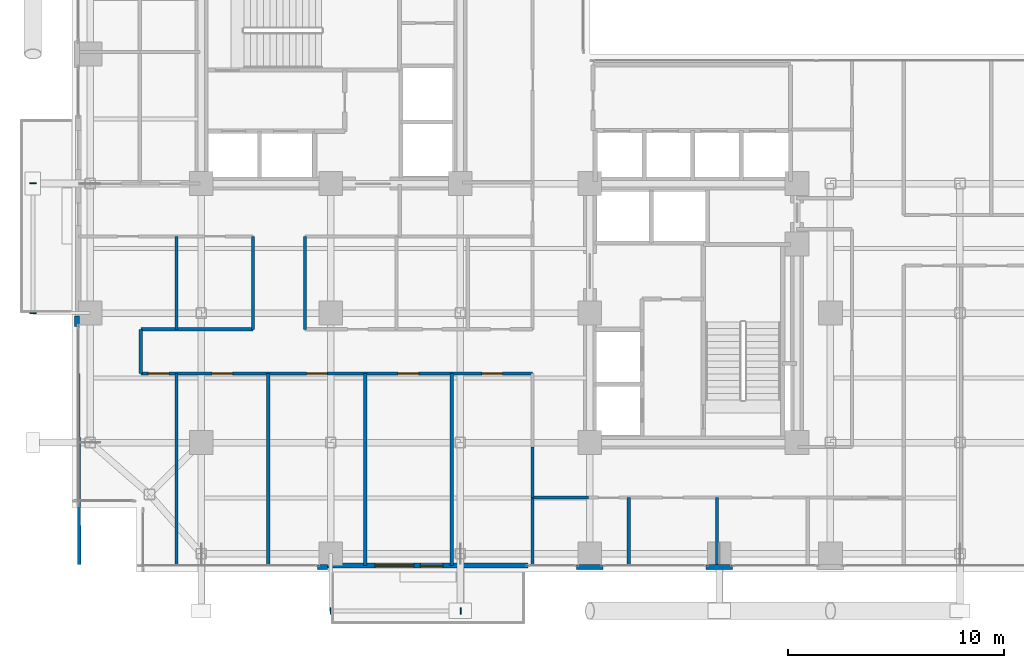
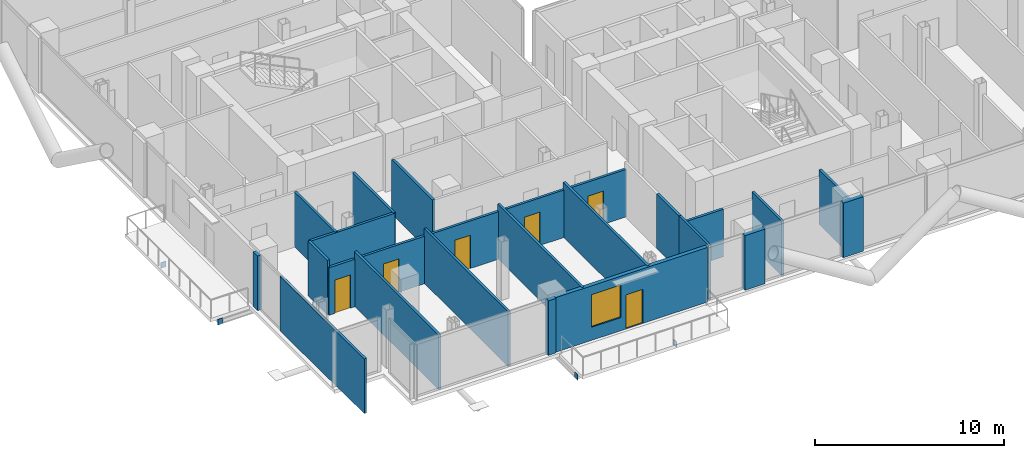
# One storey, part 18 of 24: 21 walls, 6 doors, 4 plates, 1 window, 7 openings.
"""IFC4 building model written with IfcOpenShell, lengths in metres."""

from ifc_helpers import new_model, si_unit, direction, frame, frame_2d, origin, origin_2d, place, context, subcontext, project, spatial, rectangle, extrude, material, layer, layer_set, type_object, element, fill, save


model = new_model("IFC4")

# Units and contexts
model_context = context("Model", 3, precision=1e-05, world=origin(), true_north=direction((0.0, 1.0)))
body_context = subcontext(model_context, "Body", "Model", "MODEL_VIEW")
ifc_project = project(units=[si_unit("LENGTHUNIT", "METRE"), si_unit("AREAUNIT", "SQUARE_METRE"), si_unit("VOLUMEUNIT", "CUBIC_METRE"), si_unit("PLANEANGLEUNIT", "RADIAN"), si_unit("MASSUNIT", "GRAM", prefix="KILO"), si_unit("THERMODYNAMICTEMPERATUREUNIT", "KELVIN"), si_unit("POWERUNIT", "WATT")], contexts=[model_context])

# Site, building, storey
site_placement = place(None, origin())
site = spatial("IfcSite", under=ifc_project, at=site_placement, CompositionType="ELEMENT")
building_placement = place(site_placement, origin())
building = spatial("IfcBuilding", under=site, at=building_placement, Name="Svarakhadi Broadcast Tower", CompositionType="ELEMENT")
storey_placement = place(building_placement, frame((0.0, 0.0, 156.89990234375)))
storey = spatial("IfcBuildingStorey", under=building, at=storey_placement, Name="L38", CompositionType="ELEMENT", Elevation=156.89990234375)

# Plates
ifc_material_1 = material(Name="Steel S460ML (IS 2062 E450BR)", Category="steel")
ifc_layer_1 = layer(ifc_material_1, 0.028076171875)
ifc_layer_set_1 = layer_set([ifc_layer_1], Name="Steel S460ML (IS 2062 E450BR)")
plate_type = type_object("IfcPlateType", Name="Cap_Plate_CP02", PredefinedType="USERDEFINED", material=ifc_layer_set_1)
for number, where, z_axis, x_axis, name in (
    (1, (11.985107421875, -1.800048828125, -0.55517578125), (0.0, 0.0, 1.0), (1.0, 0.0, 0.0), "L38 Balcony Spandrel End Cap Plate 1F-A"),
    (2, (18.014892578125, -1.800048828125, -0.55517578125), (0.0, 0.0, 1.0), (1.0, 0.0, 0.0), "L38 Balcony Spandrel End Cap Plate 1F-B"),
):
    element("IfcPlate", number, at=place(storey_placement, frame(where, z_axis=z_axis, x_axis=x_axis)), inside=storey, type_object=plate_type, Name=name, ObjectType="FLANGE_PLATE", PredefinedType="USERDEFINED", context=body_context, shape_type="SweptSolid", body=[
        extrude(rectangle(XDim=0.0400390625, YDim=0.300048828125, at=origin_2d()), origin(), (0.0, 0.0, 1.0), 0.360107421875),
    ])
for number, where, z_axis, x_axis, name in (
    (3, (-1.800048828125, 11.985107421875, -0.55517578125), (0.0, 0.0, 1.0), (1.0, 0.0, 0.0), "L38 Balcony Spandrel End Cap Plate 2F-A"),
    (4, (-1.800048828125, 18.014892578125, -0.55517578125), (0.0, 0.0, 1.0), (1.0, 0.0, 0.0), "L38 Balcony Spandrel End Cap Plate 2F-B"),
):
    element("IfcPlate", number, at=place(storey_placement, frame(where, z_axis=z_axis, x_axis=x_axis)), inside=storey, type_object=plate_type, Name=name, ObjectType="FLANGE_PLATE", PredefinedType="USERDEFINED", context=body_context, shape_type="SweptSolid", body=[
        extrude(rectangle(XDim=0.300048828125, YDim=0.0400390625, at=origin_2d()), origin(), (0.0, 0.0, 1.0), 0.360107421875),
    ])

# Wall, openings, door, window
ifc_material_2 = material(Name="Concrete C40/50 (IS 456 M50)", Category="concrete")
ifc_layer_2 = layer(ifc_material_2, 0.239990234375)
ifc_layer_set_2 = layer_set([ifc_layer_2], Name="Concrete C40/50 (IS 456 M50)")
wall_type_1 = type_object("IfcWallType", Name="Wall_Ext_240", PredefinedType="SOLIDWALL", material=ifc_layer_set_2)
wall_1_placement = place(storey_placement, frame((21.14501953125, 0.300048828125, 0.0), z_axis=(0.0, 0.0, 1.0), x_axis=(-1.0, 0.0, 0.0)))
wall_1 = element("IfcWall", 5, at=wall_1_placement, inside=storey, type_object=wall_type_1, Name="L38 South Tree Balcony Spandrel Wall", PredefinedType="SOLIDWALL", context=body_context, shape_type="SweptSolid", body=[
    extrude(rectangle(XDim=9.2900390625, YDim=0.239990234375, at=frame_2d((4.64501953125, 0.0))), origin(), (0.0, 0.0, 1.0), 3.525146484375),
])
opening_1_placement = place(wall_1_placement, frame((3.945068359375, 0.0, 0.0)))
opening_1 = element("IfcOpeningElement", 6, at=opening_1_placement, cuts=wall_1, Name="Opening ED-06", PredefinedType="OPENING", context=body_context, shape_type="SweptSolid", body=[
    extrude(rectangle(XDim=1.050048828125, YDim=2.199951171875, at=frame_2d((0.52490234375, 1.10009765625))), frame((0.0, 0.1298828125, 0.0), z_axis=(0.0, -1.0, 0.0), x_axis=(1.0, 0.0, 0.0)), (0.0, 0.0, 1.0), 0.260009765625),
])
opening_2_placement = place(wall_1_placement, frame((5.300048828125, 0.0, 0.85009765625)))
opening_2 = element("IfcOpeningElement", 7, at=opening_2_placement, cuts=wall_1, Name="Opening WN-02", PredefinedType="OPENING", context=body_context, shape_type="SweptSolid", body=[
    extrude(rectangle(XDim=1.800048828125, YDim=2.10009765625, at=frame_2d((0.89990234375, 1.050048828125))), frame((0.0, 0.1298828125, 0.0), z_axis=(0.0, -1.0, 0.0), x_axis=(1.0, 0.0, 0.0)), (0.0, 0.0, 1.0), 0.260009765625),
])
ifc_material_3 = material(Name="Anodised Bronze Aluminium AA 6063-T6", Category="aluminium")
door_type_1 = type_object("IfcDoorType", Name="Door_Ext_ED06", OperationType="SINGLE_SWING_RIGHT", PredefinedType="DOOR", material=ifc_material_3)
door_1_placement = place(opening_1_placement, origin())
door_1 = element("IfcDoor", 8, at=door_1_placement, inside=storey, type_object=door_type_1, Name="L38 South Tree Balcony Door", OperationType="SINGLE_SWING_RIGHT", OverallHeight=2.199951171875, OverallWidth=1.050048828125, PredefinedType="DOOR", context=body_context, shape_type="SweptSolid", body=[
    extrude(rectangle(XDim=1.050048828125, YDim=2.199951171875, at=frame_2d((0.52490234375, 1.10009765625))), frame((0.0, 0.02490234375, 0.0), z_axis=(0.0, -1.0, 0.0), x_axis=(1.0, 0.0, 0.0)), (0.0, 0.0, 1.0), 0.050048828125),
])
fill(opening_1, door_1)
ifc_material_4 = material(Name="Double Low-E Laminated Acoustic Glass IGU 36 mm", Category="glass")
window_type = type_object("IfcWindowType", Name="Win_Fixed_WN02", PartitioningType="SINGLE_PANEL", PredefinedType="WINDOW", material=ifc_material_4)
window_placement = place(opening_2_placement, origin())
window = element("IfcWindow", 9, at=window_placement, inside=storey, type_object=window_type, Name="L38 South Tree Balcony Window", OverallHeight=2.10009765625, OverallWidth=1.800048828125, PartitioningType="SINGLE_PANEL", PredefinedType="WINDOW", context=body_context, shape_type="SweptSolid", body=[
    extrude(rectangle(XDim=1.800048828125, YDim=2.10009765625, at=frame_2d((0.89990234375, 1.050048828125))), frame((0.0, 0.030029296875, 0.0), z_axis=(0.0, -1.0, 0.0), x_axis=(1.0, 0.0, 0.0)), (0.0, 0.0, 1.0), 0.06005859375),
])
fill(opening_2, window)

# Walls
wall_2_placement = place(storey_placement, frame((0.239990234375, 11.385009765625, 0.0), z_axis=(0.0, 0.0, 1.0), x_axis=(0.0, 1.0, 0.0)))
element("IfcWall", 10, at=wall_2_placement, inside=storey, type_object=wall_type_1, Name="L38 Perimeter Bronze Spandrel Closure Wall 01", PredefinedType="SOLIDWALL", context=body_context, shape_type="SweptSolid", body=[
    extrude(rectangle(XDim=0.469970703125, YDim=0.239990234375, at=frame_2d((0.23486328125, 0.0))), origin(), (0.0, 0.0, 1.0), 3.525146484375),
])
for number, where, z_axis, x_axis, name in (
    (11, (30.614990234375, 0.239990234375, 0.0), (0.0, 0.0, 1.0), (-1.0, 0.0, 0.0), "L38 Perimeter Bronze Spandrel Closure Wall 08"),
    (12, (24.614990234375, 0.239990234375, 0.0), (0.0, 0.0, 1.0), (-1.0, 0.0, 0.0), "L38 Perimeter Bronze Spandrel Closure Wall 09"),
):
    element("IfcWall", number, at=place(storey_placement, frame(where, z_axis=z_axis, x_axis=x_axis)), inside=storey, type_object=wall_type_1, Name=name, PredefinedType="SOLIDWALL", context=body_context, shape_type="SweptSolid", body=[
        extrude(rectangle(XDim=1.22998046875, YDim=0.239990234375, at=frame_2d((0.614990234375, 0.0))), origin(), (0.0, 0.0, 1.0), 3.525146484375),
    ])
wall_3_placement = place(storey_placement, frame((11.85498046875, 0.239990234375, 0.0), z_axis=(0.0, 0.0, 1.0), x_axis=(-1.0, 0.0, 0.0)))
element("IfcWall", 13, at=wall_3_placement, inside=storey, type_object=wall_type_1, Name="L38 Perimeter Bronze Spandrel Closure Wall 10", PredefinedType="SOLIDWALL", context=body_context, shape_type="SweptSolid", body=[
    extrude(rectangle(XDim=0.469970703125, YDim=0.239990234375, at=frame_2d((0.23486328125, 0.0))), origin(), (0.0, 0.0, 1.0), 3.525146484375),
])
ifc_material_5 = material(Name="Autoclaved Aerated Concrete Blockwork 150 mm", Category="masonry")
ifc_layer_3 = layer(ifc_material_5, 0.14990234375)
ifc_layer_set_3 = layer_set([ifc_layer_3], Name="Autoclaved Aerated Concrete Blockwork 150 mm")
wall_type_2 = type_object("IfcWallType", Name="Wall_Part_150", PredefinedType="PARTITIONING", material=ifc_layer_set_3)
wall_4_placement = place(storey_placement, frame((23.949951171875, 3.449951171875, 0.0), z_axis=(0.0, 0.0, 1.0), x_axis=(-1.0, 0.0, 0.0)))
element("IfcWall", 14, at=wall_4_placement, inside=storey, type_object=wall_type_2, Name="L38 Zone 2/3 Corridor Wall", PredefinedType="PARTITIONING", context=body_context, shape_type="SweptSolid", body=[
    extrude(rectangle(XDim=2.599853515625, YDim=0.14990234375, at=frame_2d((1.2998046875, 0.0))), origin(), (0.0, 0.0, 1.0), 3.067138671875),
])
wall_5_placement = place(storey_placement, frame((21.35009765625, 3.449951171875, 0.0), z_axis=(0.0, 0.0, 1.0), x_axis=(0.0, 1.0, 0.0)))
element("IfcWall", 15, at=wall_5_placement, inside=storey, type_object=wall_type_2, Name="L38 Zone 2/3 Corridor Wall", PredefinedType="PARTITIONING", context=body_context, shape_type="SweptSolid", body=[
    extrude(rectangle(XDim=2.35009765625, YDim=0.14990234375, at=frame_2d((1.175048828125, 0.0))), origin(), (0.0, 0.0, 1.0), 3.525146484375),
])

# Wall, openings, doors
wall_6_placement = place(storey_placement, frame((21.35009765625, 9.199951171875, 0.0), z_axis=(0.0, 0.0, 1.0), x_axis=(-1.0, 0.0, 0.0)))
wall_6 = element("IfcWall", 16, at=wall_6_placement, inside=storey, type_object=wall_type_2, Name="L38 Zone 2/3 Corridor Wall", PredefinedType="PARTITIONING", context=body_context, shape_type="SweptSolid", body=[
    extrude(rectangle(XDim=18.150146484375, YDim=0.14990234375, at=frame_2d((9.0751953125, 0.0))), origin(), (0.0, 0.0, 1.0), 3.067138671875),
])
opening_3_placement = place(wall_6_placement, frame((16.85009765625, 0.0, 0.0)))
opening_3 = element("IfcOpeningElement", 17, at=opening_3_placement, cuts=wall_6, Name="Opening D-06", PredefinedType="OPENING", context=body_context, shape_type="SweptSolid", body=[
    extrude(rectangle(XDim=0.949951171875, YDim=2.14990234375, at=frame_2d((0.47509765625, 1.074951171875))), frame((0.0, 0.0849609375, 0.0), z_axis=(0.0, -1.0, 0.0), x_axis=(1.0, 0.0, 0.0)), (0.0, 0.0, 1.0), 0.169921875),
])
opening_4_placement = place(wall_6_placement, frame((13.89990234375, 0.0, 0.0)))
opening_4 = element("IfcOpeningElement", 18, at=opening_4_placement, cuts=wall_6, Name="Opening D-07", PredefinedType="OPENING", context=body_context, shape_type="SweptSolid", body=[
    extrude(rectangle(XDim=0.949951171875, YDim=2.14990234375, at=frame_2d((0.47509765625, 1.074951171875))), frame((0.0, 0.0849609375, 0.0), z_axis=(0.0, -1.0, 0.0), x_axis=(1.0, 0.0, 0.0)), (0.0, 0.0, 1.0), 0.169921875),
])
opening_5_placement = place(wall_6_placement, frame((9.52490234375, 0.0, 0.0)))
opening_5 = element("IfcOpeningElement", 19, at=opening_5_placement, cuts=wall_6, Name="Opening D-06", PredefinedType="OPENING", context=body_context, shape_type="SweptSolid", body=[
    extrude(rectangle(XDim=0.949951171875, YDim=2.14990234375, at=frame_2d((0.47509765625, 1.074951171875))), frame((0.0, 0.0849609375, 0.0), z_axis=(0.0, -1.0, 0.0), x_axis=(1.0, 0.0, 0.0)), (0.0, 0.0, 1.0), 0.169921875),
])
opening_6_placement = place(wall_6_placement, frame((5.27490234375, 0.0, 0.0)))
opening_6 = element("IfcOpeningElement", 20, at=opening_6_placement, cuts=wall_6, Name="Opening D-07", PredefinedType="OPENING", context=body_context, shape_type="SweptSolid", body=[
    extrude(rectangle(XDim=0.949951171875, YDim=2.14990234375, at=frame_2d((0.47509765625, 1.074951171875))), frame((0.0, 0.0849609375, 0.0), z_axis=(0.0, -1.0, 0.0), x_axis=(1.0, 0.0, 0.0)), (0.0, 0.0, 1.0), 0.169921875),
])
opening_7_placement = place(wall_6_placement, frame((1.39990234375, 0.0, 0.0)))
opening_7 = element("IfcOpeningElement", 21, at=opening_7_placement, cuts=wall_6, Name="Opening D-06", PredefinedType="OPENING", context=body_context, shape_type="SweptSolid", body=[
    extrude(rectangle(XDim=0.949951171875, YDim=2.14990234375, at=frame_2d((0.47509765625, 1.074951171875))), frame((0.0, 0.0849609375, 0.0), z_axis=(0.0, -1.0, 0.0), x_axis=(1.0, 0.0, 0.0)), (0.0, 0.0, 1.0), 0.169921875),
])
ifc_material_6 = material(Name="Solid-Core Teak Veneer Acoustic Timber Leaf", Category="wood")
door_type_2 = type_object("IfcDoorType", Name="Door_Office_D06", OperationType="SINGLE_SWING_LEFT", PredefinedType="DOOR", material=ifc_material_6)
door_2_placement = place(opening_3_placement, origin())
door_2 = element("IfcDoor", 22, at=door_2_placement, inside=storey, type_object=door_type_2, Name="L38 Documentary Editorial Bullpen Door", OperationType="SINGLE_SWING_LEFT", OverallHeight=2.14990234375, OverallWidth=0.949951171875, PredefinedType="DOOR", context=body_context, shape_type="SweptSolid", body=[
    extrude(rectangle(XDim=0.949951171875, YDim=2.14990234375, at=frame_2d((0.47509765625, 1.074951171875))), frame((0.0, 0.02490234375, 0.0), z_axis=(0.0, -1.0, 0.0), x_axis=(1.0, 0.0, 0.0)), (0.0, 0.0, 1.0), 0.050048828125),
])
fill(opening_3, door_2)
door_3_placement = place(opening_5_placement, origin())
door_3 = element("IfcDoor", 23, at=door_3_placement, inside=storey, type_object=door_type_2, Name="L38 Educational Curriculum Room Door", OperationType="SINGLE_SWING_LEFT", OverallHeight=2.14990234375, OverallWidth=0.949951171875, PredefinedType="DOOR", context=body_context, shape_type="SweptSolid", body=[
    extrude(rectangle(XDim=0.949951171875, YDim=2.14990234375, at=frame_2d((0.47509765625, 1.074951171875))), frame((0.0, 0.02490234375, 0.0), z_axis=(0.0, -1.0, 0.0), x_axis=(1.0, 0.0, 0.0)), (0.0, 0.0, 1.0), 0.050048828125),
])
fill(opening_5, door_3)
door_4_placement = place(opening_7_placement, origin())
door_4 = element("IfcDoor", 24, at=door_4_placement, inside=storey, type_object=door_type_2, Name="L38 Investigative Podcast Booth Door", OperationType="SINGLE_SWING_LEFT", OverallHeight=2.14990234375, OverallWidth=0.949951171875, PredefinedType="DOOR", context=body_context, shape_type="SweptSolid", body=[
    extrude(rectangle(XDim=0.949951171875, YDim=2.14990234375, at=frame_2d((0.47509765625, 1.074951171875))), frame((0.0, 0.02490234375, 0.0), z_axis=(0.0, -1.0, 0.0), x_axis=(1.0, 0.0, 0.0)), (0.0, 0.0, 1.0), 0.050048828125),
])
fill(opening_7, door_4)
door_type_3 = type_object("IfcDoorType", Name="Door_Office_D07", OperationType="SINGLE_SWING_RIGHT", PredefinedType="DOOR", material=ifc_material_6)
door_5_placement = place(opening_4_placement, origin())
door_5 = element("IfcDoor", 25, at=door_5_placement, inside=storey, type_object=door_type_3, Name="L38 Children Media Workshop Door", OperationType="SINGLE_SWING_RIGHT", OverallHeight=2.14990234375, OverallWidth=0.949951171875, PredefinedType="DOOR", context=body_context, shape_type="SweptSolid", body=[
    extrude(rectangle(XDim=0.949951171875, YDim=2.14990234375, at=frame_2d((0.47509765625, 1.074951171875))), frame((0.0, 0.02490234375, 0.0), z_axis=(0.0, -1.0, 0.0), x_axis=(1.0, 0.0, 0.0)), (0.0, 0.0, 1.0), 0.050048828125),
])
fill(opening_4, door_5)
door_6_placement = place(opening_6_placement, origin())
door_6 = element("IfcDoor", 26, at=door_6_placement, inside=storey, type_object=door_type_3, Name="L38 Research Desk Door", OperationType="SINGLE_SWING_RIGHT", OverallHeight=2.14990234375, OverallWidth=0.949951171875, PredefinedType="DOOR", context=body_context, shape_type="SweptSolid", body=[
    extrude(rectangle(XDim=0.949951171875, YDim=2.14990234375, at=frame_2d((0.47509765625, 1.074951171875))), frame((0.0, 0.02490234375, 0.0), z_axis=(0.0, -1.0, 0.0), x_axis=(1.0, 0.0, 0.0)), (0.0, 0.0, 1.0), 0.050048828125),
])
fill(opening_6, door_6)

# Walls
wall_7_placement = place(storey_placement, frame((3.199951171875, 9.199951171875, 0.0), z_axis=(0.0, 0.0, 1.0), x_axis=(0.0, 1.0, 0.0)))
element("IfcWall", 27, at=wall_7_placement, inside=storey, type_object=wall_type_2, Name="L38 Zone 2/3 Corridor Wall", PredefinedType="PARTITIONING", context=body_context, shape_type="SweptSolid", body=[
    extrude(rectangle(XDim=2.050048828125, YDim=0.14990234375, at=frame_2d((1.02490234375, 0.0))), origin(), (0.0, 0.0, 1.0), 3.525146484375),
])
wall_8_placement = place(storey_placement, frame((3.199951171875, 11.25, 0.0), z_axis=(0.0, 0.0, 1.0), x_axis=(1.0, 0.0, 0.0)))
element("IfcWall", 28, at=wall_8_placement, inside=storey, type_object=wall_type_2, Name="L38 Zone 2/3 Corridor Wall", PredefinedType="PARTITIONING", context=body_context, shape_type="SweptSolid", body=[
    extrude(rectangle(XDim=5.199951171875, YDim=0.14990234375, at=frame_2d((2.60009765625, 0.0))), origin(), (0.0, 0.0, 1.0), 3.525146484375),
])
for number, where, z_axis, x_axis, name in (
    (29, (8.39990234375, 11.25, 0.0), (0.0, 0.0, 1.0), (0.0, 1.0, 0.0), "L38 Zone 2/3 Corridor Wall"),
    (30, (10.800048828125, 15.550048828125, 0.0), (0.0, 0.0, 1.0), (0.0, -1.0, 0.0), "L38 Zone 2/3 Corridor Wall"),
):
    element("IfcWall", number, at=place(storey_placement, frame(where, z_axis=z_axis, x_axis=x_axis)), inside=storey, type_object=wall_type_2, Name=name, PredefinedType="PARTITIONING", context=body_context, shape_type="SweptSolid", body=[
        extrude(rectangle(XDim=4.300048828125, YDim=0.14990234375, at=frame_2d((2.14990234375, 0.0))), origin(), (0.0, 0.0, 1.0), 3.525146484375),
    ])
for number, where, z_axis, x_axis, name in (
    (31, (21.35009765625, 0.300048828125, 0.0), (0.0, 0.0, 1.0), (0.0, 1.0, 0.0), "L38 Harbour Front Production Office Wall"),
    (32, (25.800048828125, 0.300048828125, 0.0), (0.0, 0.0, 1.0), (0.0, 1.0, 0.0), "L38 Harbour Front Production Office Wall"),
    (33, (29.89990234375, 0.300048828125, 0.0), (0.0, 0.0, 1.0), (0.0, 1.0, 0.0), "L38 Client Preview Briefing Room Wall"),
):
    element("IfcWall", number, at=place(storey_placement, frame(where, z_axis=z_axis, x_axis=x_axis)), inside=storey, type_object=wall_type_2, Name=name, PredefinedType="PARTITIONING", context=body_context, shape_type="SweptSolid", body=[
        extrude(rectangle(XDim=3.14990234375, YDim=0.14990234375, at=frame_2d((1.574951171875, 0.0))), origin(), (0.0, 0.0, 1.0), 3.525146484375),
    ])
wall_9_placement = place(storey_placement, frame((0.35009765625, 0.35009765625, 0.0), z_axis=(0.0, 0.0, 1.0), x_axis=(-0.005655237989, 0.999984009014, 0.0)))
element("IfcWall", 34, at=wall_9_placement, inside=storey, type_object=wall_type_2, Name="L38 Documentary Editorial Bullpen Wall", PredefinedType="PARTITIONING", context=body_context, shape_type="SweptSolid", body=[
    extrude(rectangle(XDim=8.85009765625, YDim=0.14990234375, at=frame_2d((4.425048828125, 0.0))), origin(), (0.0, 0.0, 1.0), 3.525146484375),
])
for number, where, z_axis, x_axis, name in (
    (35, (4.85009765625, 0.300048828125, 0.0), (0.0, 0.0, 1.0), (0.0, 1.0, 0.0), "L38 Documentary Editorial Bullpen Wall"),
    (36, (9.10009765625, 0.300048828125, 0.0), (0.0, 0.0, 1.0), (0.0, 1.0, 0.0), "L38 Children Media Workshop Wall"),
    (37, (13.60009765625, 0.300048828125, 0.0), (0.0, 0.0, 1.0), (0.0, 1.0, 0.0), "L38 Educational Curriculum Room Wall"),
    (38, (17.60009765625, 0.300048828125, 0.0), (0.0, 0.0, 1.0), (0.0, 1.0, 0.0), "L38 Research Desk Wall"),
):
    element("IfcWall", number, at=place(storey_placement, frame(where, z_axis=z_axis, x_axis=x_axis)), inside=storey, type_object=wall_type_2, Name=name, PredefinedType="PARTITIONING", context=body_context, shape_type="SweptSolid", body=[
        extrude(rectangle(XDim=8.89990234375, YDim=0.14990234375, at=frame_2d((4.449951171875, 0.0))), origin(), (0.0, 0.0, 1.0), 3.525146484375),
    ])
wall_10_placement = place(storey_placement, frame((4.85009765625, 11.25, 0.0), z_axis=(0.0, 0.0, 1.0), x_axis=(0.0, 1.0, 0.0)))
element("IfcWall", 39, at=wall_10_placement, inside=storey, type_object=wall_type_2, Name="L38 Research Library Lounge Wall", PredefinedType="PARTITIONING", context=body_context, shape_type="SweptSolid", body=[
    extrude(rectangle(XDim=4.300048828125, YDim=0.14990234375, at=frame_2d((2.14990234375, 0.0))), origin(), (0.0, 0.0, 1.0), 3.525146484375),
])

save(model, "model.ifc")
